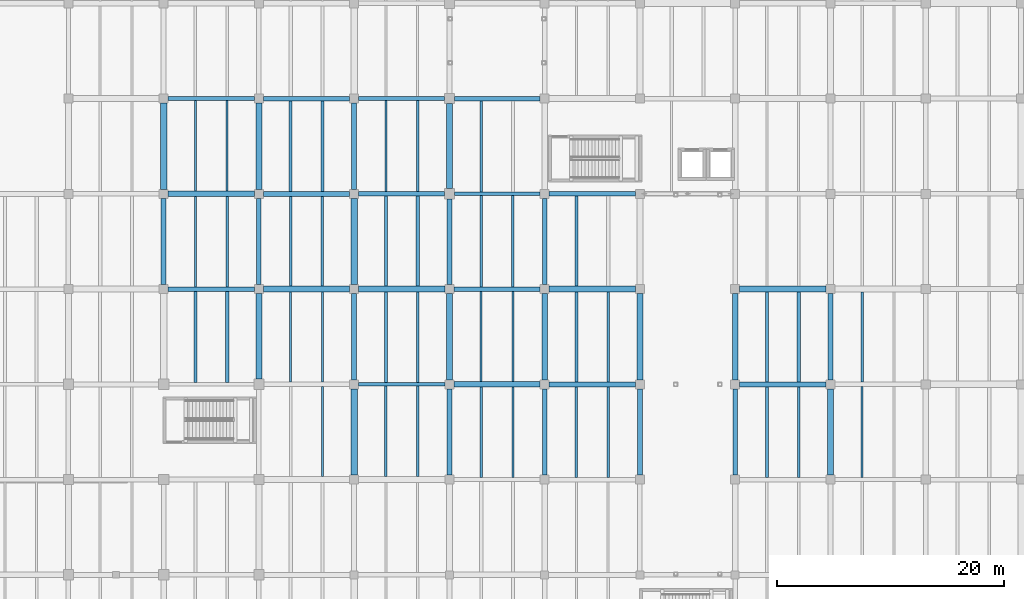
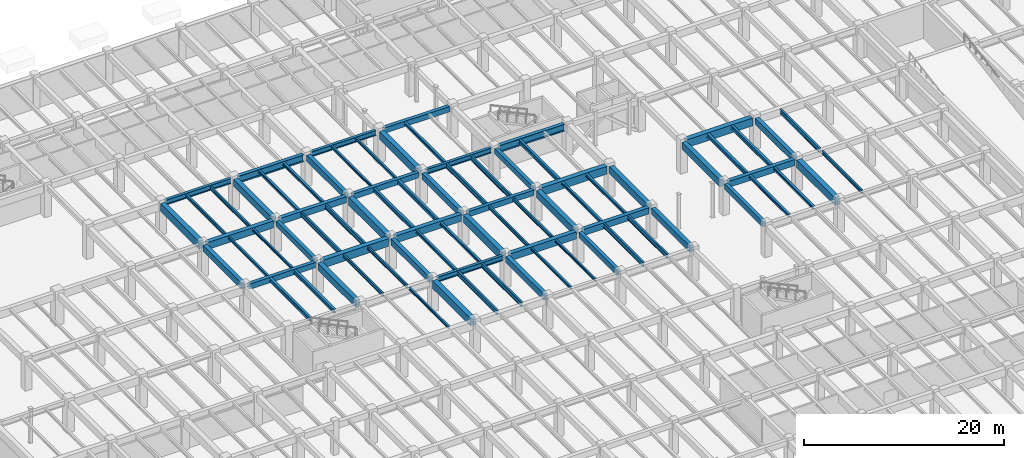
# One storey, part 20 of 63: 80 beams.
"""IFC4 building model written with IfcOpenShell, lengths in metres."""

from ifc_helpers import new_model, si_unit, direction, frame, origin, origin_2d, place, context, subcontext, project, spatial, rectangle, i_section, extrude, material, material_profile, profile_set, type_object, element, save


model = new_model("IFC4")

# Units and contexts
model_context = context("Model", 3, precision=1e-05, world=origin(), true_north=direction((0.0, 1.0)))
body_context = subcontext(model_context, "Body", "Model", "MODEL_VIEW")
ifc_project = project(units=[si_unit("LENGTHUNIT", "METRE"), si_unit("AREAUNIT", "SQUARE_METRE"), si_unit("VOLUMEUNIT", "CUBIC_METRE"), si_unit("PLANEANGLEUNIT", "RADIAN"), si_unit("MASSUNIT", "GRAM", prefix="KILO")], contexts=[model_context])

# Site, building, storey
site_placement = place(None, origin())
site = spatial("IfcSite", under=ifc_project, at=site_placement, CompositionType="ELEMENT")
building_placement = place(site_placement, origin())
building = spatial("IfcBuilding", under=site, at=building_placement, Name="Cumbredor Promenade Congress Hotel", CompositionType="ELEMENT")
storey_placement = place(building_placement, frame((0.0, 0.0, -4.199951171875)))
storey = spatial("IfcBuildingStorey", under=building, at=storey_placement, Name="B01", CompositionType="ELEMENT", Elevation=-4.199951171875)

# Beams
ifc_material_1 = material(Name="Concrete C40/50", Category="concrete")
ifc_material_profile_1 = material_profile(ifc_material_1, rectangle(XDim=0.39990234375, YDim=0.64990234375, at=origin_2d()), Name="RC BEAM 400x650")
ifc_profile_set_1 = profile_set([ifc_material_profile_1], Name="Concrete C40/50")
beam_type_1 = type_object("IfcBeamType", Name="BM-RC-400x650", PredefinedType="BEAM", material=ifc_profile_set_1)
for number, where, z_axis, x_axis, name in (
    (1, (59.199951171875, 75.60009765625, 3.52490234375), (1.0, 0.0, 0.0), (0.0, 1.0, 0.0), "L00 X-Grid Beam 163"),
    (2, (67.199951171875, 76.0, 3.52490234375), (0.0, 1.0, 0.0), (-1.0, 0.0, 0.0), "L00 Y-Grid Beam 191"),
):
    element("IfcBeam", number, at=place(storey_placement, frame(where, z_axis=z_axis, x_axis=x_axis)), inside=storey, type_object=beam_type_1, Name=name, PredefinedType="BEAM", context=body_context, shape_type="SweptSolid", body=[
        extrude(rectangle(XDim=0.39990234375, YDim=0.64990234375, at=origin_2d()), origin(), (0.0, 0.0, 1.0), 7.60009765625),
    ])
beam_1_placement = place(storey_placement, frame((76.0, 84.0, 3.52490234375), z_axis=(1.0, 0.0, 0.0), x_axis=(0.0, 1.0, 0.0)))
element("IfcBeam", 3, at=beam_1_placement, inside=storey, type_object=beam_type_1, Name="L00 X-Grid Beam 219", PredefinedType="BEAM", context=body_context, shape_type="SweptSolid", body=[
    extrude(rectangle(XDim=0.39990234375, YDim=0.64990234375, at=origin_2d()), origin(), (0.0, 0.0, 1.0), 7.550048828125),
])
beam_2_placement = place(storey_placement, frame((84.39990234375, 75.60009765625, 3.52490234375), z_axis=(1.0, 0.0, 0.0), x_axis=(0.0, 1.0, 0.0)))
element("IfcBeam", 4, at=beam_2_placement, inside=storey, type_object=beam_type_1, Name="L00 X-Grid Beam 243", PredefinedType="BEAM", context=body_context, shape_type="SweptSolid", body=[
    extrude(rectangle(XDim=0.39990234375, YDim=0.64990234375, at=origin_2d()), origin(), (0.0, 0.0, 1.0), 7.60009765625),
])
beam_3_placement = place(storey_placement, frame((84.449951171875, 92.39990234375, 3.52490234375), z_axis=(1.0, 0.0, 0.0), x_axis=(0.0, 1.0, 0.0)))
element("IfcBeam", 5, at=beam_3_placement, inside=storey, type_object=beam_type_1, Name="L00 X-Grid Beam 247", PredefinedType="BEAM", context=body_context, shape_type="SweptSolid", body=[
    extrude(rectangle(XDim=0.39990234375, YDim=0.64990234375, at=origin_2d()), origin(), (0.0, 0.0, 1.0), 7.550048828125),
])
for number, where, z_axis, x_axis, name in (
    (6, (92.39990234375, 59.199951171875, 3.52490234375), (0.0, 1.0, 0.0), (-1.0, 0.0, 0.0), "L00 Y-Grid Beam 267"),
    (7, (92.39990234375, 76.0, 3.52490234375), (0.0, 1.0, 0.0), (-1.0, 0.0, 0.0), "L00 Y-Grid Beam 271"),
    (8, (109.199951171875, 59.199951171875, 3.52490234375), (0.0, 1.0, 0.0), (-1.0, 0.0, 0.0), "L00 Y-Grid Beam 315"),
):
    element("IfcBeam", number, at=place(storey_placement, frame(where, z_axis=z_axis, x_axis=x_axis)), inside=storey, type_object=beam_type_1, Name=name, PredefinedType="BEAM", context=body_context, shape_type="SweptSolid", body=[
        extrude(rectangle(XDim=0.39990234375, YDim=0.64990234375, at=origin_2d()), origin(), (0.0, 0.0, 1.0), 7.60009765625),
    ])
ifc_material_profile_2 = material_profile(ifc_material_1, rectangle(XDim=0.449951171875, YDim=0.75, at=origin_2d()), Name="RC BEAM 450x750")
ifc_profile_set_2 = profile_set([ifc_material_profile_2], Name="Concrete C40/50")
beam_type_2 = type_object("IfcBeamType", Name="BM-RC-450x750", PredefinedType="BEAM", material=ifc_profile_set_2)
beam_4_placement = place(storey_placement, frame((58.800048828125, 76.0, 3.474853515625), z_axis=(0.0, 1.0, 0.0), x_axis=(-1.0, 0.0, 0.0)))
element("IfcBeam", 9, at=beam_4_placement, inside=storey, type_object=beam_type_2, Name="L00 Y-Grid Beam 164", PredefinedType="BEAM", context=body_context, shape_type="SweptSolid", body=[
    extrude(rectangle(XDim=0.449951171875, YDim=0.75, at=origin_2d()), origin(), (0.0, 0.0, 1.0), 7.60009765625),
])
for number, where, z_axis, x_axis, name in (
    (10, (67.60009765625, 84.0, 3.474853515625), (1.0, 0.0, 0.0), (0.0, 1.0, 0.0), "L00 X-Grid Beam 192"),
    (11, (75.60009765625, 67.60009765625, 3.474853515625), (0.0, 1.0, 0.0), (-1.0, 0.0, 0.0), "L00 Y-Grid Beam 216"),
):
    element("IfcBeam", number, at=place(storey_placement, frame(where, z_axis=z_axis, x_axis=x_axis)), inside=storey, type_object=beam_type_2, Name=name, PredefinedType="BEAM", context=body_context, shape_type="SweptSolid", body=[
        extrude(rectangle(XDim=0.449951171875, YDim=0.75, at=origin_2d()), origin(), (0.0, 0.0, 1.0), 7.599853515625),
    ])
for number, where, z_axis, x_axis, name in (
    (12, (75.60009765625, 84.39990234375, 3.474853515625), (0.0, 1.0, 0.0), (-1.0, 0.0, 0.0), "L00 Y-Grid Beam 220"),
    (13, (84.0, 59.199951171875, 3.474853515625), (0.0, 1.0, 0.0), (-1.0, 0.0, 0.0), "L00 Y-Grid Beam 240"),
):
    element("IfcBeam", number, at=place(storey_placement, frame(where, z_axis=z_axis, x_axis=x_axis)), inside=storey, type_object=beam_type_2, Name=name, PredefinedType="BEAM", context=body_context, shape_type="SweptSolid", body=[
        extrude(rectangle(XDim=0.449951171875, YDim=0.75, at=origin_2d()), origin(), (0.0, 0.0, 1.0), 7.60009765625),
    ])
beam_5_placement = place(storey_placement, frame((84.0, 76.0, 3.474853515625), z_axis=(0.0, 1.0, 0.0), x_axis=(-1.0, 0.0, 0.0)))
element("IfcBeam", 14, at=beam_5_placement, inside=storey, type_object=beam_type_2, Name="L00 Y-Grid Beam 244", PredefinedType="BEAM", context=body_context, shape_type="SweptSolid", body=[
    extrude(rectangle(XDim=0.449951171875, YDim=0.75, at=origin_2d()), origin(), (0.0, 0.0, 1.0), 7.550048828125),
])
beam_6_placement = place(storey_placement, frame((92.800048828125, 67.199951171875, 3.474853515625), z_axis=(1.0, 0.0, 0.0), x_axis=(0.0, 1.0, 0.0)))
element("IfcBeam", 15, at=beam_6_placement, inside=storey, type_object=beam_type_2, Name="L00 X-Grid Beam 268", PredefinedType="BEAM", context=body_context, shape_type="SweptSolid", body=[
    extrude(rectangle(XDim=0.449951171875, YDim=0.75, at=origin_2d()), origin(), (0.0, 0.0, 1.0), 7.599853515625),
])
beam_7_placement = place(storey_placement, frame((100.800048828125, 59.199951171875, 3.474853515625), z_axis=(0.0, 1.0, 0.0), x_axis=(-1.0, 0.0, 0.0)))
element("IfcBeam", 16, at=beam_7_placement, inside=storey, type_object=beam_type_2, Name="L00 Y-Grid Beam 292", PredefinedType="BEAM", context=body_context, shape_type="SweptSolid", body=[
    extrude(rectangle(XDim=0.449951171875, YDim=0.75, at=origin_2d()), origin(), (0.0, 0.0, 1.0), 7.60009765625),
])
for number, where, z_axis, x_axis, name in (
    (17, (109.60009765625, 67.199951171875, 3.474853515625), (1.0, 0.0, 0.0), (0.0, 1.0, 0.0), "L00 X-Grid Beam 316"),
    (18, (117.60009765625, 67.60009765625, 3.474853515625), (0.0, 1.0, 0.0), (-1.0, 0.0, 0.0), "L00 Y-Grid Beam 344"),
):
    element("IfcBeam", number, at=place(storey_placement, frame(where, z_axis=z_axis, x_axis=x_axis)), inside=storey, type_object=beam_type_2, Name=name, PredefinedType="BEAM", context=body_context, shape_type="SweptSolid", body=[
        extrude(rectangle(XDim=0.449951171875, YDim=0.75, at=origin_2d()), origin(), (0.0, 0.0, 1.0), 7.599853515625),
    ])
ifc_material_profile_3 = material_profile(ifc_material_1, rectangle(XDim=0.5, YDim=0.85009765625, at=origin_2d()), Name="RC BEAM 500x850")
ifc_profile_set_3 = profile_set([ifc_material_profile_3], Name="Concrete C40/50")
beam_type_3 = type_object("IfcBeamType", Name="BM-RC-500x850", PredefinedType="BEAM", material=ifc_profile_set_3)
beam_8_placement = place(storey_placement, frame((59.199951171875, 84.0, 3.425048828125), z_axis=(1.0, 0.0, 0.0), x_axis=(0.0, 1.0, 0.0)))
element("IfcBeam", 19, at=beam_8_placement, inside=storey, type_object=beam_type_3, Name="L00 X-Grid Beam 165", PredefinedType="BEAM", context=body_context, shape_type="SweptSolid", body=[
    extrude(rectangle(XDim=0.5, YDim=0.85009765625, at=origin_2d()), origin(), (0.0, 0.0, 1.0), 7.60009765625),
])
beam_9_placement = place(storey_placement, frame((67.199951171875, 67.64990234375, 3.425048828125), z_axis=(0.0, 1.0, 0.0), x_axis=(-1.0, 0.0, 0.0)))
element("IfcBeam", 20, at=beam_9_placement, inside=storey, type_object=beam_type_3, Name="L00 Y-Grid Beam 189", PredefinedType="BEAM", context=body_context, shape_type="SweptSolid", body=[
    extrude(rectangle(XDim=0.5, YDim=0.85009765625, at=origin_2d()), origin(), (0.0, 0.0, 1.0), 7.550048828125),
])
for number, where, z_axis, x_axis, name in (
    (21, (67.199951171875, 84.39990234375, 3.425048828125), (0.0, 1.0, 0.0), (-1.0, 0.0, 0.0), "L00 Y-Grid Beam 193"),
    (22, (76.0, 75.60009765625, 3.425048828125), (1.0, 0.0, 0.0), (0.0, 1.0, 0.0), "L00 X-Grid Beam 217"),
    (23, (84.39990234375, 67.199951171875, 3.425048828125), (1.0, 0.0, 0.0), (0.0, 1.0, 0.0), "L00 X-Grid Beam 241"),
):
    element("IfcBeam", number, at=place(storey_placement, frame(where, z_axis=z_axis, x_axis=x_axis)), inside=storey, type_object=beam_type_3, Name=name, PredefinedType="BEAM", context=body_context, shape_type="SweptSolid", body=[
        extrude(rectangle(XDim=0.5, YDim=0.85009765625, at=origin_2d()), origin(), (0.0, 0.0, 1.0), 7.60009765625),
    ])
for number, where, z_axis, x_axis, name in (
    (24, (92.39990234375, 67.60009765625, 3.425048828125), (0.0, 1.0, 0.0), (-1.0, 0.0, 0.0), "L00 Y-Grid Beam 269"),
    (25, (100.800048828125, 67.60009765625, 3.425048828125), (0.0, 1.0, 0.0), (-1.0, 0.0, 0.0), "L00 Y-Grid Beam 293"),
    (26, (109.199951171875, 67.60009765625, 3.425048828125), (0.0, 1.0, 0.0), (-1.0, 0.0, 0.0), "L00 Y-Grid Beam 317"),
):
    element("IfcBeam", number, at=place(storey_placement, frame(where, z_axis=z_axis, x_axis=x_axis)), inside=storey, type_object=beam_type_3, Name=name, PredefinedType="BEAM", context=body_context, shape_type="SweptSolid", body=[
        extrude(rectangle(XDim=0.5, YDim=0.85009765625, at=origin_2d()), origin(), (0.0, 0.0, 1.0), 7.599853515625),
    ])
ifc_material_profile_4 = material_profile(ifc_material_1, rectangle(XDim=0.550048828125, YDim=0.949951171875, at=origin_2d()), Name="RC BEAM 550x950")
ifc_profile_set_4 = profile_set([ifc_material_profile_4], Name="Concrete C40/50")
beam_type_4 = type_object("IfcBeamType", Name="BM-RC-550x950", PredefinedType="BEAM", material=ifc_profile_set_4)
beam_10_placement = place(storey_placement, frame((58.800048828125, 84.39990234375, 3.375), z_axis=(0.0, 1.0, 0.0), x_axis=(-1.0, 0.0, 0.0)))
element("IfcBeam", 27, at=beam_10_placement, inside=storey, type_object=beam_type_4, Name="L00 Y-Grid Beam 166", PredefinedType="BEAM", context=body_context, shape_type="SweptSolid", body=[
    extrude(rectangle(XDim=0.550048828125, YDim=0.949951171875, at=origin_2d()), origin(), (0.0, 0.0, 1.0), 7.60009765625),
])
beam_11_placement = place(storey_placement, frame((67.60009765625, 75.60009765625, 3.375), z_axis=(1.0, 0.0, 0.0), x_axis=(0.0, 1.0, 0.0)))
element("IfcBeam", 28, at=beam_11_placement, inside=storey, type_object=beam_type_4, Name="L00 X-Grid Beam 190", PredefinedType="BEAM", context=body_context, shape_type="SweptSolid", body=[
    extrude(rectangle(XDim=0.550048828125, YDim=0.949951171875, at=origin_2d()), origin(), (0.0, 0.0, 1.0), 7.599853515625),
])
for number, where, z_axis, x_axis, name in (
    (29, (75.60009765625, 59.199951171875, 3.375), (0.0, 1.0, 0.0), (-1.0, 0.0, 0.0), "L00 Y-Grid Beam 214"),
    (30, (75.60009765625, 76.0, 3.375), (0.0, 1.0, 0.0), (-1.0, 0.0, 0.0), "L00 Y-Grid Beam 218"),
):
    element("IfcBeam", number, at=place(storey_placement, frame(where, z_axis=z_axis, x_axis=x_axis)), inside=storey, type_object=beam_type_4, Name=name, PredefinedType="BEAM", context=body_context, shape_type="SweptSolid", body=[
        extrude(rectangle(XDim=0.550048828125, YDim=0.949951171875, at=origin_2d()), origin(), (0.0, 0.0, 1.0), 7.60009765625),
    ])
beam_12_placement = place(storey_placement, frame((84.0, 67.60009765625, 3.375), z_axis=(0.0, 1.0, 0.0), x_axis=(-1.0, 0.0, 0.0)))
element("IfcBeam", 31, at=beam_12_placement, inside=storey, type_object=beam_type_4, Name="L00 Y-Grid Beam 242", PredefinedType="BEAM", context=body_context, shape_type="SweptSolid", body=[
    extrude(rectangle(XDim=0.550048828125, YDim=0.949951171875, at=origin_2d()), origin(), (0.0, 0.0, 1.0), 7.599853515625),
])
beam_13_placement = place(storey_placement, frame((84.0, 84.449951171875, 3.375), z_axis=(0.0, 1.0, 0.0), x_axis=(-1.0, 0.0, 0.0)))
element("IfcBeam", 32, at=beam_13_placement, inside=storey, type_object=beam_type_4, Name="L00 Y-Grid Beam 246", PredefinedType="BEAM", context=body_context, shape_type="SweptSolid", body=[
    extrude(rectangle(XDim=0.550048828125, YDim=0.949951171875, at=origin_2d()), origin(), (0.0, 0.0, 1.0), 7.5),
])
for number, where, z_axis, x_axis, name in (
    (33, (92.800048828125, 75.60009765625, 3.375), (1.0, 0.0, 0.0), (0.0, 1.0, 0.0), "L00 X-Grid Beam 270"),
    (34, (109.60009765625, 75.60009765625, 3.375), (1.0, 0.0, 0.0), (0.0, 1.0, 0.0), "L00 X-Grid Beam 318"),
):
    element("IfcBeam", number, at=place(storey_placement, frame(where, z_axis=z_axis, x_axis=x_axis)), inside=storey, type_object=beam_type_4, Name=name, PredefinedType="BEAM", context=body_context, shape_type="SweptSolid", body=[
        extrude(rectangle(XDim=0.550048828125, YDim=0.949951171875, at=origin_2d()), origin(), (0.0, 0.0, 1.0), 7.599853515625),
    ])
beam_14_placement = place(storey_placement, frame((117.60009765625, 59.199951171875, 3.375), z_axis=(0.0, 1.0, 0.0), x_axis=(-1.0, 0.0, 0.0)))
element("IfcBeam", 35, at=beam_14_placement, inside=storey, type_object=beam_type_4, Name="L00 Y-Grid Beam 342", PredefinedType="BEAM", context=body_context, shape_type="SweptSolid", body=[
    extrude(rectangle(XDim=0.550048828125, YDim=0.949951171875, at=origin_2d()), origin(), (0.0, 0.0, 1.0), 7.60009765625),
])
ifc_material_2 = material(Name="Steel ASTM A992 Grade 50", Category="steel")
ifc_material_profile_5 = material_profile(ifc_material_2, i_section(OverallWidth=0.323974609375, OverallDepth=0.611083984375, WebThickness=0.0126953125, FlangeThickness=0.01904296875, at=origin_2d()), Name="W24X104")
ifc_profile_set_5 = profile_set([ifc_material_profile_5], Name="Steel ASTM A992 Grade 50")
beam_type_5 = type_object("IfcBeamType", Name="BM-W24X104", PredefinedType="BEAM", material=ifc_profile_set_5)
for number, where, z_axis, x_axis, name in (
    (36, (59.199951171875, 92.39990234375, 3.54443359375), (1.0, 0.0, 0.0), (0.0, 1.0, 0.0), "L00 X-Grid Beam 167"),
    (37, (76.0, 67.199951171875, 3.54443359375), (1.0, 0.0, 0.0), (0.0, 1.0, 0.0), "L00 X-Grid Beam 215"),
):
    element("IfcBeam", number, at=place(storey_placement, frame(where, z_axis=z_axis, x_axis=x_axis)), inside=storey, type_object=beam_type_5, Name=name, PredefinedType="BEAM", context=body_context, shape_type="SweptSolid", body=[
        extrude(i_section(OverallWidth=0.323974609375, OverallDepth=0.611083984375, WebThickness=0.0126953125, FlangeThickness=0.01904296875, at=origin_2d()), origin(), (0.0, 0.0, 1.0), 7.60009765625),
    ])
for number, where, z_axis, x_axis, name in (
    (38, (76.0, 92.39990234375, 3.54443359375), (1.0, 0.0, 0.0), (0.0, 1.0, 0.0), "L00 X-Grid Beam 221"),
    (39, (84.449951171875, 84.0, 3.54443359375), (1.0, 0.0, 0.0), (0.0, 1.0, 0.0), "L00 X-Grid Beam 245"),
):
    element("IfcBeam", number, at=place(storey_placement, frame(where, z_axis=z_axis, x_axis=x_axis)), inside=storey, type_object=beam_type_5, Name=name, PredefinedType="BEAM", context=body_context, shape_type="SweptSolid", body=[
        extrude(i_section(OverallWidth=0.323974609375, OverallDepth=0.611083984375, WebThickness=0.0126953125, FlangeThickness=0.01904296875, at=origin_2d()), origin(), (0.0, 0.0, 1.0), 7.550048828125),
    ])
ifc_material_profile_6 = material_profile(ifc_material_2, i_section(OverallWidth=0.39990234375, OverallDepth=0.85498046875, WebThickness=0.018310546875, FlangeThickness=0.029296875, at=origin_2d()), Name="W33X201")
ifc_profile_set_6 = profile_set([ifc_material_profile_6], Name="Steel ASTM A992 Grade 50")
beam_type_6 = type_object("IfcBeamType", Name="BM-W33X201", PredefinedType="BEAM", material=ifc_profile_set_6)
for number, where, z_axis, x_axis, name in (
    (40, (67.60009765625, 92.39990234375, 3.42236328125), (1.0, 0.0, 0.0), (0.0, 1.0, 0.0), "L00 X-Grid Beam 194"),
    (41, (92.800048828125, 84.0, 3.42236328125), (1.0, 0.0, 0.0), (0.0, 1.0, 0.0), "L00 X-Grid Beam 272"),
):
    element("IfcBeam", number, at=place(storey_placement, frame(where, z_axis=z_axis, x_axis=x_axis)), inside=storey, type_object=beam_type_6, Name=name, PredefinedType="BEAM", context=body_context, shape_type="SweptSolid", body=[
        extrude(i_section(OverallWidth=0.39990234375, OverallDepth=0.85498046875, WebThickness=0.018310546875, FlangeThickness=0.029296875, at=origin_2d()), origin(), (0.0, 0.0, 1.0), 7.599853515625),
    ])
ifc_material_profile_7 = material_profile(ifc_material_2, i_section(OverallWidth=0.202880859375, OverallDepth=0.302978515625, WebThickness=0.007568359375, FlangeThickness=0.01318359375, at=origin_2d()), Name="W12X40")
ifc_profile_set_7 = profile_set([ifc_material_profile_7], Name="Steel ASTM A992 Grade 50")
beam_type_7 = type_object("IfcBeamType", Name="JST-W12X40", PredefinedType="JOIST", material=ifc_profile_set_7)
for number, where, z_axis, x_axis, name in (
    (42, (61.60009765625, 75.800048828125, 3.698486328125), (0.0, 1.0, 0.0), (-1.0, 0.0, 0.0), "L00 Secondary Floor Joist 0134"),
    (43, (64.39990234375, 75.800048828125, 3.698486328125), (0.0, 1.0, 0.0), (-1.0, 0.0, 0.0), "L00 Secondary Floor Joist 0135"),
):
    element("IfcBeam", number, at=place(storey_placement, frame(where, z_axis=z_axis, x_axis=x_axis)), inside=storey, type_object=beam_type_7, Name=name, PredefinedType="JOIST", context=body_context, shape_type="SweptSolid", body=[
        extrude(i_section(OverallWidth=0.202880859375, OverallDepth=0.302978515625, WebThickness=0.007568359375, FlangeThickness=0.01318359375, at=origin_2d()), origin(), (0.0, 0.0, 1.0), 7.949951171875),
    ])
beam_15_placement = place(storey_placement, frame((72.800048828125, 59.074951171875, 3.698486328125), z_axis=(0.0, 1.0, 0.0), x_axis=(-1.0, 0.0, 0.0)))
element("IfcBeam", 44, at=beam_15_placement, inside=storey, type_object=beam_type_7, Name="L00 Secondary Floor Joist 0155", PredefinedType="JOIST", context=body_context, shape_type="SweptSolid", body=[
    extrude(i_section(OverallWidth=0.202880859375, OverallDepth=0.302978515625, WebThickness=0.007568359375, FlangeThickness=0.01318359375, at=origin_2d()), origin(), (0.0, 0.0, 1.0), 7.925048828125),
])
for number, where, z_axis, x_axis, name in (
    (45, (78.39990234375, 84.199951171875, 3.698486328125), (0.0, 1.0, 0.0), (-1.0, 0.0, 0.0), "L00 Secondary Floor Joist 0184"),
    (46, (81.199951171875, 84.199951171875, 3.698486328125), (0.0, 1.0, 0.0), (-1.0, 0.0, 0.0), "L00 Secondary Floor Joist 0185"),
):
    element("IfcBeam", number, at=place(storey_placement, frame(where, z_axis=z_axis, x_axis=x_axis)), inside=storey, type_object=beam_type_7, Name=name, PredefinedType="JOIST", context=body_context, shape_type="SweptSolid", body=[
        extrude(i_section(OverallWidth=0.202880859375, OverallDepth=0.302978515625, WebThickness=0.007568359375, FlangeThickness=0.01318359375, at=origin_2d()), origin(), (0.0, 0.0, 1.0), 8.0380859375),
    ])
for number, where, z_axis, x_axis, name in (
    (47, (86.800048828125, 58.9619140625, 3.698486328125), (0.0, 1.0, 0.0), (-1.0, 0.0, 0.0), "L00 Secondary Floor Joist 0204"),
    (48, (89.60009765625, 58.9619140625, 3.698486328125), (0.0, 1.0, 0.0), (-1.0, 0.0, 0.0), "L00 Secondary Floor Joist 0205"),
):
    element("IfcBeam", number, at=place(storey_placement, frame(where, z_axis=z_axis, x_axis=x_axis)), inside=storey, type_object=beam_type_7, Name=name, PredefinedType="JOIST", context=body_context, shape_type="SweptSolid", body=[
        extrude(i_section(OverallWidth=0.202880859375, OverallDepth=0.302978515625, WebThickness=0.007568359375, FlangeThickness=0.01318359375, at=origin_2d()), origin(), (0.0, 0.0, 1.0), 7.988037109375),
    ])
ifc_material_profile_8 = material_profile(ifc_material_2, i_section(OverallWidth=0.2548828125, OverallDepth=0.35693359375, WebThickness=0.010498046875, FlangeThickness=0.018310546875, at=origin_2d()), Name="W14X68")
ifc_profile_set_8 = profile_set([ifc_material_profile_8], Name="Steel ASTM A992 Grade 50")
beam_type_8 = type_object("IfcBeamType", Name="JST-W14X68", PredefinedType="JOIST", material=ifc_profile_set_8)
for number, where, z_axis, x_axis, name in (
    (49, (70.0, 84.22509765625, 3.67138671875), (0.0, 1.0, 0.0), (-1.0, 0.0, 0.0), "L00 Secondary Floor Joist 0160"),
    (50, (72.800048828125, 84.22509765625, 3.67138671875), (0.0, 1.0, 0.0), (-1.0, 0.0, 0.0), "L00 Secondary Floor Joist 0161"),
):
    element("IfcBeam", number, at=place(storey_placement, frame(where, z_axis=z_axis, x_axis=x_axis)), inside=storey, type_object=beam_type_8, Name=name, PredefinedType="JOIST", context=body_context, shape_type="SweptSolid", body=[
        extrude(i_section(OverallWidth=0.2548828125, OverallDepth=0.35693359375, WebThickness=0.010498046875, FlangeThickness=0.018310546875, at=origin_2d()), origin(), (0.0, 0.0, 1.0), 7.974853515625),
    ])
for number, where, z_axis, x_axis, name in (
    (51, (78.39990234375, 67.362060546875, 3.67138671875), (0.0, 1.0, 0.0), (-1.0, 0.0, 0.0), "L00 Secondary Floor Joist 0180"),
    (52, (81.199951171875, 67.362060546875, 3.67138671875), (0.0, 1.0, 0.0), (-1.0, 0.0, 0.0), "L00 Secondary Floor Joist 0181"),
):
    element("IfcBeam", number, at=place(storey_placement, frame(where, z_axis=z_axis, x_axis=x_axis)), inside=storey, type_object=beam_type_8, Name=name, PredefinedType="JOIST", context=body_context, shape_type="SweptSolid", body=[
        extrude(i_section(OverallWidth=0.2548828125, OverallDepth=0.35693359375, WebThickness=0.010498046875, FlangeThickness=0.018310546875, at=origin_2d()), origin(), (0.0, 0.0, 1.0), 7.988037109375),
    ])
beam_16_placement = place(storey_placement, frame((86.800048828125, 84.162109375, 3.67138671875), z_axis=(0.0, 1.0, 0.0), x_axis=(-1.0, 0.0, 0.0)))
element("IfcBeam", 53, at=beam_16_placement, inside=storey, type_object=beam_type_8, Name="L00 Secondary Floor Joist 0210", PredefinedType="JOIST", context=body_context, shape_type="SweptSolid", body=[
    extrude(i_section(OverallWidth=0.2548828125, OverallDepth=0.35693359375, WebThickness=0.010498046875, FlangeThickness=0.018310546875, at=origin_2d()), origin(), (0.0, 0.0, 1.0), 8.037841796875),
])
for number, where, z_axis, x_axis, name in (
    (54, (95.199951171875, 67.425048828125, 3.67138671875), (0.0, 1.0, 0.0), (-1.0, 0.0, 0.0), "L00 Secondary Floor Joist 0230"),
    (55, (98.0, 67.425048828125, 3.67138671875), (0.0, 1.0, 0.0), (-1.0, 0.0, 0.0), "L00 Secondary Floor Joist 0231"),
):
    element("IfcBeam", number, at=place(storey_placement, frame(where, z_axis=z_axis, x_axis=x_axis)), inside=storey, type_object=beam_type_8, Name=name, PredefinedType="JOIST", context=body_context, shape_type="SweptSolid", body=[
        extrude(i_section(OverallWidth=0.2548828125, OverallDepth=0.35693359375, WebThickness=0.010498046875, FlangeThickness=0.018310546875, at=origin_2d()), origin(), (0.0, 0.0, 1.0), 7.89990234375),
    ])
for number, where, z_axis, x_axis, name in (
    (56, (112.0, 59.0, 3.67138671875), (0.0, 1.0, 0.0), (-1.0, 0.0, 0.0), "L00 Secondary Floor Joist 0265"),
    (57, (114.800048828125, 59.0, 3.67138671875), (0.0, 1.0, 0.0), (-1.0, 0.0, 0.0), "L00 Secondary Floor Joist 0266"),
):
    element("IfcBeam", number, at=place(storey_placement, frame(where, z_axis=z_axis, x_axis=x_axis)), inside=storey, type_object=beam_type_8, Name=name, PredefinedType="JOIST", context=body_context, shape_type="SweptSolid", body=[
        extrude(i_section(OverallWidth=0.2548828125, OverallDepth=0.35693359375, WebThickness=0.010498046875, FlangeThickness=0.018310546875, at=origin_2d()), origin(), (0.0, 0.0, 1.0), 7.97509765625),
    ])
ifc_material_profile_9 = material_profile(ifc_material_2, i_section(OverallWidth=0.180908203125, OverallDepth=0.4169921875, WebThickness=0.010986328125, FlangeThickness=0.018310546875, at=origin_2d()), Name="W16X57")
ifc_profile_set_9 = profile_set([ifc_material_profile_9], Name="Steel ASTM A992 Grade 50")
beam_type_9 = type_object("IfcBeamType", Name="JST-W16X57", PredefinedType="JOIST", material=ifc_profile_set_9)
for number, where, z_axis, x_axis, name in (
    (58, (61.60009765625, 84.25, 3.641357421875), (0.0, 1.0, 0.0), (-1.0, 0.0, 0.0), "L00 Secondary Floor Joist 0136"),
    (59, (64.39990234375, 84.25, 3.641357421875), (0.0, 1.0, 0.0), (-1.0, 0.0, 0.0), "L00 Secondary Floor Joist 0137"),
):
    element("IfcBeam", number, at=place(storey_placement, frame(where, z_axis=z_axis, x_axis=x_axis)), inside=storey, type_object=beam_type_9, Name=name, PredefinedType="JOIST", context=body_context, shape_type="SweptSolid", body=[
        extrude(i_section(OverallWidth=0.180908203125, OverallDepth=0.4169921875, WebThickness=0.010986328125, FlangeThickness=0.018310546875, at=origin_2d()), origin(), (0.0, 0.0, 1.0), 7.988037109375),
    ])
for number, where, z_axis, x_axis, name in (
    (60, (70.0, 67.39990234375, 3.641357421875), (0.0, 1.0, 0.0), (-1.0, 0.0, 0.0), "L00 Secondary Floor Joist 0156"),
    (61, (72.800048828125, 67.39990234375, 3.641357421875), (0.0, 1.0, 0.0), (-1.0, 0.0, 0.0), "L00 Secondary Floor Joist 0157"),
):
    element("IfcBeam", number, at=place(storey_placement, frame(where, z_axis=z_axis, x_axis=x_axis)), inside=storey, type_object=beam_type_9, Name=name, PredefinedType="JOIST", context=body_context, shape_type="SweptSolid", body=[
        extrude(i_section(OverallWidth=0.180908203125, OverallDepth=0.4169921875, WebThickness=0.010986328125, FlangeThickness=0.018310546875, at=origin_2d()), origin(), (0.0, 0.0, 1.0), 7.925048828125),
    ])
for number, where, z_axis, x_axis, name in (
    (62, (86.800048828125, 67.449951171875, 3.641357421875), (0.0, 1.0, 0.0), (-1.0, 0.0, 0.0), "L00 Secondary Floor Joist 0206"),
    (63, (89.60009765625, 67.449951171875, 3.641357421875), (0.0, 1.0, 0.0), (-1.0, 0.0, 0.0), "L00 Secondary Floor Joist 0207"),
):
    element("IfcBeam", number, at=place(storey_placement, frame(where, z_axis=z_axis, x_axis=x_axis)), inside=storey, type_object=beam_type_9, Name=name, PredefinedType="JOIST", context=body_context, shape_type="SweptSolid", body=[
        extrude(i_section(OverallWidth=0.180908203125, OverallDepth=0.4169921875, WebThickness=0.010986328125, FlangeThickness=0.018310546875, at=origin_2d()), origin(), (0.0, 0.0, 1.0), 7.949951171875),
    ])
beam_17_placement = place(storey_placement, frame((120.39990234375, 58.9619140625, 3.641357421875), z_axis=(0.0, 1.0, 0.0), x_axis=(-1.0, 0.0, 0.0)))
element("IfcBeam", 64, at=beam_17_placement, inside=storey, type_object=beam_type_9, Name="L00 Secondary Floor Joist 0291", PredefinedType="JOIST", context=body_context, shape_type="SweptSolid", body=[
    extrude(i_section(OverallWidth=0.180908203125, OverallDepth=0.4169921875, WebThickness=0.010986328125, FlangeThickness=0.018310546875, at=origin_2d()), origin(), (0.0, 0.0, 1.0), 8.0380859375),
])
ifc_material_profile_10 = material_profile(ifc_material_2, i_section(OverallWidth=0.280029296875, OverallDepth=0.462890625, WebThickness=0.0107421875, FlangeThickness=0.017333984375, at=origin_2d()), Name="W18X76")
ifc_profile_set_10 = profile_set([ifc_material_profile_10], Name="Steel ASTM A992 Grade 50")
beam_type_10 = type_object("IfcBeamType", Name="JST-W18X76", PredefinedType="JOIST", material=ifc_profile_set_10)
for number, where, z_axis, x_axis, name in (
    (65, (61.60009765625, 67.362060546875, 3.618408203125), (0.0, 1.0, 0.0), (-1.0, 0.0, 0.0), "L00 Secondary Floor Joist 0132"),
    (66, (64.39990234375, 67.362060546875, 3.618408203125), (0.0, 1.0, 0.0), (-1.0, 0.0, 0.0), "L00 Secondary Floor Joist 0133"),
):
    element("IfcBeam", number, at=place(storey_placement, frame(where, z_axis=z_axis, x_axis=x_axis)), inside=storey, type_object=beam_type_10, Name=name, PredefinedType="JOIST", context=body_context, shape_type="SweptSolid", body=[
        extrude(i_section(OverallWidth=0.280029296875, OverallDepth=0.462890625, WebThickness=0.0107421875, FlangeThickness=0.017333984375, at=origin_2d()), origin(), (0.0, 0.0, 1.0), 8.037841796875),
    ])
for number, where, z_axis, x_axis, name in (
    (67, (78.39990234375, 75.85009765625, 3.618408203125), (0.0, 1.0, 0.0), (-1.0, 0.0, 0.0), "L00 Secondary Floor Joist 0182"),
    (68, (81.199951171875, 75.85009765625, 3.618408203125), (0.0, 1.0, 0.0), (-1.0, 0.0, 0.0), "L00 Secondary Floor Joist 0183"),
):
    element("IfcBeam", number, at=place(storey_placement, frame(where, z_axis=z_axis, x_axis=x_axis)), inside=storey, type_object=beam_type_10, Name=name, PredefinedType="JOIST", context=body_context, shape_type="SweptSolid", body=[
        extrude(i_section(OverallWidth=0.280029296875, OverallDepth=0.462890625, WebThickness=0.0107421875, FlangeThickness=0.017333984375, at=origin_2d()), origin(), (0.0, 0.0, 1.0), 7.949951171875),
    ])
beam_18_placement = place(storey_placement, frame((95.199951171875, 75.875, 3.618408203125), z_axis=(0.0, 1.0, 0.0), x_axis=(-1.0, 0.0, 0.0)))
element("IfcBeam", 69, at=beam_18_placement, inside=storey, type_object=beam_type_10, Name="L00 Secondary Floor Joist 0232", PredefinedType="JOIST", context=body_context, shape_type="SweptSolid", body=[
    extrude(i_section(OverallWidth=0.280029296875, OverallDepth=0.462890625, WebThickness=0.0107421875, FlangeThickness=0.017333984375, at=origin_2d()), origin(), (0.0, 0.0, 1.0), 7.925048828125),
])
for number, where, z_axis, x_axis, name in (
    (70, (112.0, 67.425048828125, 3.618408203125), (0.0, 1.0, 0.0), (-1.0, 0.0, 0.0), "L00 Secondary Floor Joist 0267"),
    (71, (114.800048828125, 67.425048828125, 3.618408203125), (0.0, 1.0, 0.0), (-1.0, 0.0, 0.0), "L00 Secondary Floor Joist 0268"),
):
    element("IfcBeam", number, at=place(storey_placement, frame(where, z_axis=z_axis, x_axis=x_axis)), inside=storey, type_object=beam_type_10, Name=name, PredefinedType="JOIST", context=body_context, shape_type="SweptSolid", body=[
        extrude(i_section(OverallWidth=0.280029296875, OverallDepth=0.462890625, WebThickness=0.0107421875, FlangeThickness=0.017333984375, at=origin_2d()), origin(), (0.0, 0.0, 1.0), 7.89990234375),
    ])
ifc_material_profile_11 = material_profile(ifc_material_2, i_section(OverallWidth=0.214111328125, OverallDepth=0.549072265625, WebThickness=0.0146484375, FlangeThickness=0.023681640625, at=origin_2d()), Name="W21X93")
ifc_profile_set_11 = profile_set([ifc_material_profile_11], Name="Steel ASTM A992 Grade 50")
beam_type_11 = type_object("IfcBeamType", Name="JST-W21X93", PredefinedType="JOIST", material=ifc_profile_set_11)
for number, where, z_axis, x_axis, name in (
    (72, (70.0, 75.875, 3.575439453125), (0.0, 1.0, 0.0), (-1.0, 0.0, 0.0), "L00 Secondary Floor Joist 0158"),
    (73, (72.800048828125, 75.875, 3.575439453125), (0.0, 1.0, 0.0), (-1.0, 0.0, 0.0), "L00 Secondary Floor Joist 0159"),
):
    element("IfcBeam", number, at=place(storey_placement, frame(where, z_axis=z_axis, x_axis=x_axis)), inside=storey, type_object=beam_type_11, Name=name, PredefinedType="JOIST", context=body_context, shape_type="SweptSolid", body=[
        extrude(i_section(OverallWidth=0.214111328125, OverallDepth=0.549072265625, WebThickness=0.0146484375, FlangeThickness=0.023681640625, at=origin_2d()), origin(), (0.0, 0.0, 1.0), 7.89990234375),
    ])
for number, where, z_axis, x_axis, name in (
    (74, (78.39990234375, 59.050048828125, 3.575439453125), (0.0, 1.0, 0.0), (-1.0, 0.0, 0.0), "L00 Secondary Floor Joist 0178"),
    (75, (81.199951171875, 59.050048828125, 3.575439453125), (0.0, 1.0, 0.0), (-1.0, 0.0, 0.0), "L00 Secondary Floor Joist 0179"),
):
    element("IfcBeam", number, at=place(storey_placement, frame(where, z_axis=z_axis, x_axis=x_axis)), inside=storey, type_object=beam_type_11, Name=name, PredefinedType="JOIST", context=body_context, shape_type="SweptSolid", body=[
        extrude(i_section(OverallWidth=0.214111328125, OverallDepth=0.549072265625, WebThickness=0.0146484375, FlangeThickness=0.023681640625, at=origin_2d()), origin(), (0.0, 0.0, 1.0), 7.988037109375),
    ])
for number, where, z_axis, x_axis, name in (
    (76, (86.800048828125, 75.800048828125, 3.575439453125), (0.0, 1.0, 0.0), (-1.0, 0.0, 0.0), "L00 Secondary Floor Joist 0208"),
    (77, (89.60009765625, 75.800048828125, 3.575439453125), (0.0, 1.0, 0.0), (-1.0, 0.0, 0.0), "L00 Secondary Floor Joist 0209"),
):
    element("IfcBeam", number, at=place(storey_placement, frame(where, z_axis=z_axis, x_axis=x_axis)), inside=storey, type_object=beam_type_11, Name=name, PredefinedType="JOIST", context=body_context, shape_type="SweptSolid", body=[
        extrude(i_section(OverallWidth=0.214111328125, OverallDepth=0.549072265625, WebThickness=0.0146484375, FlangeThickness=0.023681640625, at=origin_2d()), origin(), (0.0, 0.0, 1.0), 8.037841796875),
    ])
for number, where, z_axis, x_axis, name in (
    (78, (95.199951171875, 59.0, 3.575439453125), (0.0, 1.0, 0.0), (-1.0, 0.0, 0.0), "L00 Secondary Floor Joist 0228"),
    (79, (98.0, 59.0, 3.575439453125), (0.0, 1.0, 0.0), (-1.0, 0.0, 0.0), "L00 Secondary Floor Joist 0229"),
):
    element("IfcBeam", number, at=place(storey_placement, frame(where, z_axis=z_axis, x_axis=x_axis)), inside=storey, type_object=beam_type_11, Name=name, PredefinedType="JOIST", context=body_context, shape_type="SweptSolid", body=[
        extrude(i_section(OverallWidth=0.214111328125, OverallDepth=0.549072265625, WebThickness=0.0146484375, FlangeThickness=0.023681640625, at=origin_2d()), origin(), (0.0, 0.0, 1.0), 7.97509765625),
    ])
beam_19_placement = place(storey_placement, frame((120.39990234375, 67.39990234375, 3.575439453125), z_axis=(0.0, 1.0, 0.0), x_axis=(-1.0, 0.0, 0.0)))
element("IfcBeam", 80, at=beam_19_placement, inside=storey, type_object=beam_type_11, Name="L00 Secondary Floor Joist 0293", PredefinedType="JOIST", context=body_context, shape_type="SweptSolid", body=[
    extrude(i_section(OverallWidth=0.214111328125, OverallDepth=0.549072265625, WebThickness=0.0146484375, FlangeThickness=0.023681640625, at=origin_2d()), origin(), (0.0, 0.0, 1.0), 7.9501953125),
])

save(model, "model.ifc")
